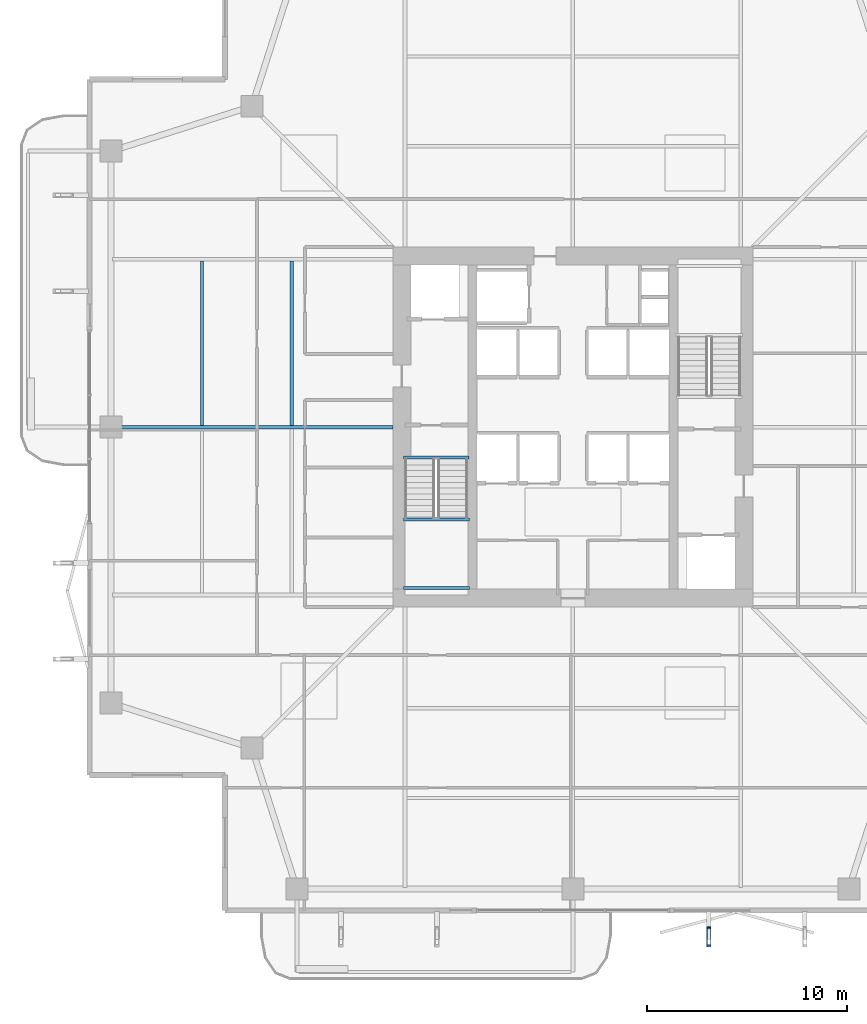
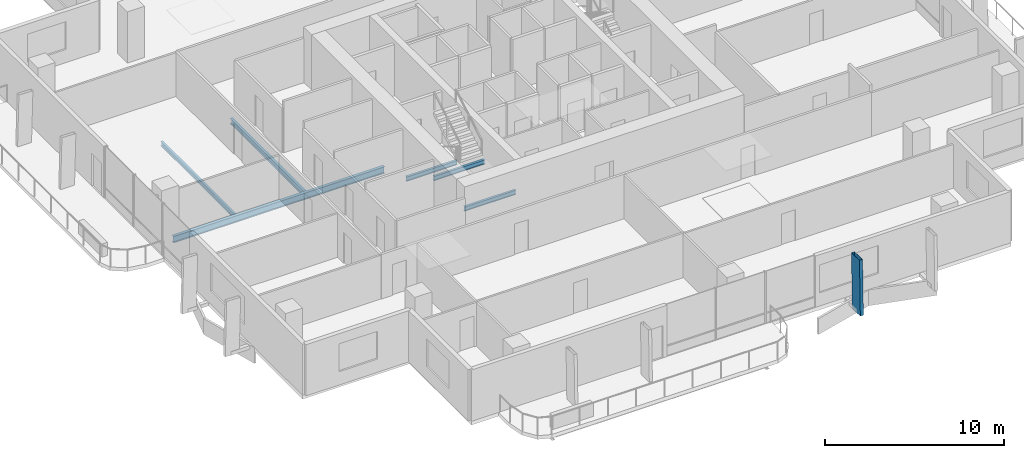
# One storey, part 7 of 25: 6 beams, 1 member.
"""IFC4 building model written with IfcOpenShell, lengths in metres."""

from ifc_helpers import new_model, si_unit, direction, frame, origin, origin_2d, place, context, subcontext, project, spatial, hollow_rectangle, i_section, extrude, material, material_profile, profile_set, type_object, element, save


model = new_model("IFC4")

# Units and contexts
model_context = context("Model", 3, precision=1e-05, world=origin(), true_north=direction((0.0, 1.0)))
body_context = subcontext(model_context, "Body", "Model", "MODEL_VIEW")
ifc_project = project(units=[si_unit("LENGTHUNIT", "METRE"), si_unit("AREAUNIT", "SQUARE_METRE"), si_unit("VOLUMEUNIT", "CUBIC_METRE"), si_unit("PLANEANGLEUNIT", "RADIAN"), si_unit("MASSUNIT", "GRAM", prefix="KILO")], contexts=[model_context])

# Site, building, storey
site_placement = place(None, origin())
site = spatial("IfcSite", under=ifc_project, at=site_placement, CompositionType="ELEMENT")
building_placement = place(site_placement, origin())
building = spatial("IfcBuilding", under=site, at=building_placement, Name="Belovzor Exchange Tower", CompositionType="ELEMENT")
storey_placement = place(building_placement, frame((0.0, 0.0, 160.800048828125)))
storey = spatial("IfcBuildingStorey", under=building, at=storey_placement, Name="L39", CompositionType="ELEMENT", Elevation=160.800048828125)

# Beams
ifc_material_1 = material(Name="Steel S355", Category="steel")
ifc_material_profile_1 = material_profile(ifc_material_1, i_section(OverallWidth=0.169921875, OverallDepth=0.360107421875, WebThickness=0.008056640625, FlangeThickness=0.0126953125, at=origin_2d()))
ifc_profile_set_1 = profile_set([ifc_material_profile_1], Name="Steel S355")
beam_type_1 = type_object("IfcBeamType", Name="Secondary Infill Floor Joist IPE 360", PredefinedType="BEAM", material=ifc_profile_set_1)
beam_1_placement = place(storey_placement, frame((14.7509765625, 28.89501953125, -0.43505859375), z_axis=(0.0, 1.0, 0.0), x_axis=(-1.0, 0.0, 0.0)))
element("IfcBeam", 1, at=beam_1_placement, inside=storey, type_object=beam_type_1, Name="FJ-360 Secondary Infill Floor Joist IPE 360", PredefinedType="BEAM", context=body_context, shape_type="SweptSolid", body=[
    extrude(i_section(OverallWidth=0.169921875, OverallDepth=0.360107421875, WebThickness=0.008056640625, FlangeThickness=0.0126953125, at=origin_2d()), origin(), (0.0, 0.0, 1.0), 8.2099609375),
])
ifc_material_2 = material(Name="Steel S355", Category="steel")
ifc_material_profile_2 = material_profile(ifc_material_2, i_section(OverallWidth=0.14990234375, OverallDepth=0.300048828125, WebThickness=0.007080078125, FlangeThickness=0.0107421875, at=origin_2d()))
ifc_profile_set_2 = profile_set([ifc_material_profile_2], Name="Steel S355")
beam_type_2 = type_object("IfcBeamType", Name="Secondary Trim Floor Joist IPE 300", PredefinedType="BEAM", material=ifc_profile_set_2)
for number, where, z_axis, x_axis, name in (
    (2, (20.320068359375, 24.179931640625, 1.52490234375), (1.0, 0.0, 0.0), (0.0, 1.0, 0.0), "FJ-300 Secondary Trim Floor Joist IPE 300"),
    (3, (20.320068359375, 20.75, 1.52490234375), (1.0, 0.0, 0.0), (0.0, 1.0, 0.0), "FJ-300 Secondary Trim Floor Joist IPE 300"),
):
    element("IfcBeam", number, at=place(storey_placement, frame(where, z_axis=z_axis, x_axis=x_axis)), inside=storey, type_object=beam_type_2, Name=name, PredefinedType="BEAM", context=body_context, shape_type="SweptSolid", body=[
        extrude(i_section(OverallWidth=0.14990234375, OverallDepth=0.300048828125, WebThickness=0.007080078125, FlangeThickness=0.0107421875, at=origin_2d()), origin(), (0.0, 0.0, 1.0), 3.309814453125),
    ])
beam_2_placement = place(storey_placement, frame((20.340087890625, 27.280029296875, -0.405029296875), z_axis=(1.0, 0.0, 0.0), x_axis=(0.0, 1.0, 0.0)))
element("IfcBeam", 4, at=beam_2_placement, inside=storey, type_object=beam_type_2, Name="FJ-300 Secondary Trim Floor Joist IPE 300", PredefinedType="BEAM", context=body_context, shape_type="SweptSolid", body=[
    extrude(i_section(OverallWidth=0.14990234375, OverallDepth=0.300048828125, WebThickness=0.007080078125, FlangeThickness=0.0107421875, at=origin_2d()), origin(), (0.0, 0.0, 1.0), 3.27001953125),
])
beam_3_placement = place(storey_placement, frame((10.262939453125, 28.89501953125, -0.405029296875), z_axis=(0.0, 1.0, 0.0), x_axis=(-1.0, 0.0, 0.0)))
element("IfcBeam", 5, at=beam_3_placement, inside=storey, type_object=beam_type_2, Name="FJ-300 Secondary Trim Floor Joist IPE 300", PredefinedType="BEAM", context=body_context, shape_type="SweptSolid", body=[
    extrude(i_section(OverallWidth=0.14990234375, OverallDepth=0.300048828125, WebThickness=0.007080078125, FlangeThickness=0.0107421875, at=origin_2d()), origin(), (0.0, 0.0, 1.0), 8.2099609375),
])

# Member
ifc_material_3 = material(Name="Extruded Architectural Terracotta on Steel S355 Carrier", Category="masonry")
ifc_material_profile_3 = material_profile(ifc_material_3, hollow_rectangle(XDim=0.199951171875, YDim=0.89990234375, WallThickness=0.011962890625, at=origin_2d()))
ifc_profile_set_3 = profile_set([ifc_material_profile_3], Name="Extruded Architectural Terracotta on Steel S355 Carrier")
member_type = type_object("IfcMemberType", Name="Sweeping Terracotta Baguette Fin Assembly 1250", PredefinedType="USERDEFINED", material=ifc_profile_set_3)
member_placement = place(storey_placement, frame((35.60009765625, 3.259033203125, -0.255126953125), z_axis=(0.0, 0.025057234181, 0.999686018215), x_axis=(-1.0, 0.0, 0.0)))
element("IfcMember", 6, at=member_placement, inside=storey, type_object=member_type, Name="FIN-TC125 Terracotta Facade Fin L39 S3", ObjectType="FIN", PredefinedType="USERDEFINED", context=body_context, shape_type="SweptSolid", body=[
    extrude(hollow_rectangle(XDim=0.199951171875, YDim=0.89990234375, WallThickness=0.011962890625, at=origin_2d()), origin(), (0.0, 0.0, 1.0), 3.751220703125),
])

# Beam
ifc_material_4 = material(Name="Steel S355", Category="steel")
ifc_material_profile_4 = material_profile(ifc_material_4, i_section(OverallWidth=0.18994140625, OverallDepth=0.449951171875, WebThickness=0.009521484375, FlangeThickness=0.0146484375, at=origin_2d()))
ifc_profile_set_4 = profile_set([ifc_material_profile_4], Name="Steel S355")
beam_type_3 = type_object("IfcBeamType", Name="Zone 2-4 Radial Composite Floor Beam IPE 450", PredefinedType="BEAM", material=ifc_profile_set_4)
beam_4_placement = place(storey_placement, frame((19.800048828125, 28.800048828125, -0.47998046875), z_axis=(-1.0, 0.0, 0.0), x_axis=(0.0, -1.0, 0.0)))
element("IfcBeam", 7, at=beam_4_placement, inside=storey, type_object=beam_type_3, Name="FB-450 Zone 2-4 Radial Composite Floor Beam IPE 450", PredefinedType="BEAM", context=body_context, shape_type="SweptSolid", body=[
    extrude(i_section(OverallWidth=0.18994140625, OverallDepth=0.449951171875, WebThickness=0.009521484375, FlangeThickness=0.0146484375, at=origin_2d()), origin(), (0.0, 0.0, 1.0), 13.615966796875),
])

save(model, "model.ifc")
